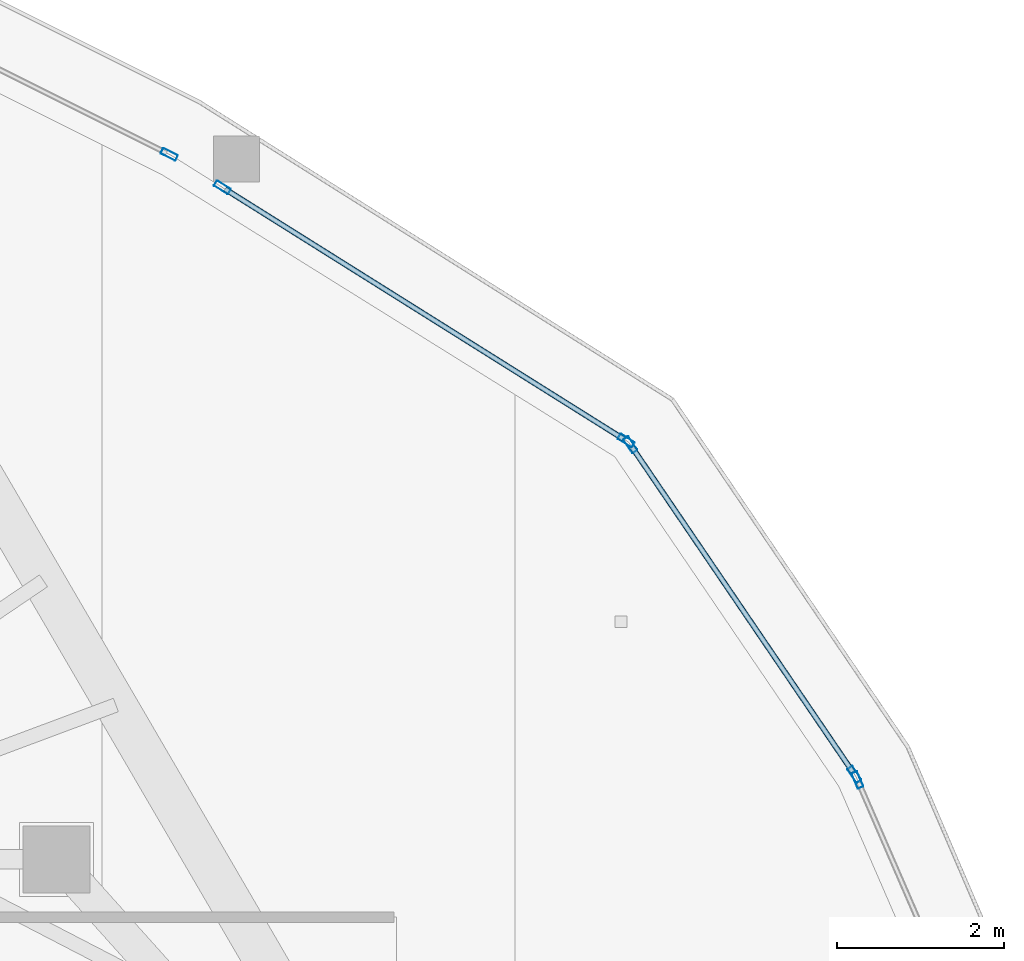
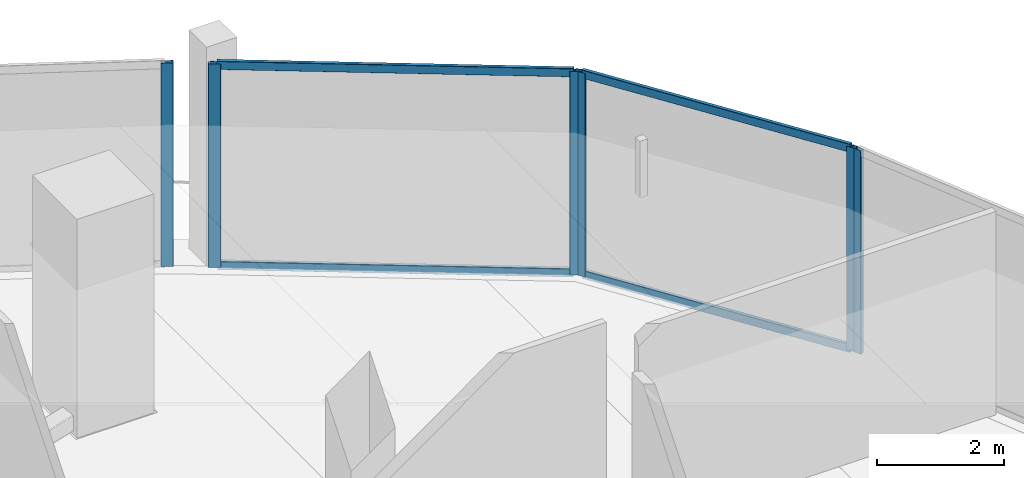
# One storey, part 15 of 25: 10 members, 4 elements without a shape of their own.
"""IFC4 building model written with IfcOpenShell, lengths in metres."""

from ifc_helpers import new_model, si_unit, direction, frame, origin, origin_2d, place, context, subcontext, project, spatial, hollow_rectangle, extrude, material, layer, layer_set, material_profile, profile_set, type_object, element, aggregate, save


model = new_model("IFC4")

# Units and contexts
model_context = context("Model", 3, precision=1e-05, world=origin(), true_north=direction((0.0, 1.0)))
body_context = subcontext(model_context, "Body", "Model", "MODEL_VIEW")
ifc_project = project(units=[si_unit("LENGTHUNIT", "METRE"), si_unit("AREAUNIT", "SQUARE_METRE"), si_unit("VOLUMEUNIT", "CUBIC_METRE"), si_unit("PLANEANGLEUNIT", "RADIAN"), si_unit("MASSUNIT", "GRAM", prefix="KILO")], contexts=[model_context])

# Site, building, storey
site_placement = place(None, origin())
site = spatial("IfcSite", under=ifc_project, at=site_placement, CompositionType="ELEMENT")
building_placement = place(site_placement, origin())
building = spatial("IfcBuilding", under=site, at=building_placement, Name="Qorvath Tower", CompositionType="ELEMENT")
storey_placement = place(building_placement, frame((0.0, 0.0, 314.39990234375)))
storey = spatial("IfcBuildingStorey", under=building, at=storey_placement, Name="L73", CompositionType="ELEMENT", Elevation=314.39990234375)

# Curtain wall, member
ifc_material_1 = material(Name="Anodised aluminium and triple low-E glass", Category="aluminium")
ifc_layer = layer(ifc_material_1, 0.179931640625)
ifc_layer_set = layer_set([ifc_layer], Name="CW-SYS-4")
curtain_wall_type = type_object("IfcCurtainWallType", Name="CW-SYS-4", PredefinedType="NOTDEFINED", material=ifc_layer_set)
curtain_wall_1_placement = place(storey_placement, origin())
curtain_wall_1 = element("IfcCurtainWall", 1, at=curtain_wall_1_placement, inside=storey, type_object=curtain_wall_type, Name="Curtain Wall CW-4 CW-T-L73-12.1", PredefinedType="NOTDEFINED")
ifc_material_2 = material(Name="Anodised aluminium 6063-T6", Category="aluminium")
ifc_material_profile_1 = material_profile(ifc_material_2, hollow_rectangle(XDim=0.074951171875, YDim=0.199951171875, WallThickness=0.00390625, InnerFilletRadius=0.00390625, OuterFilletRadius=0.008056640625, at=origin_2d()), Name="CWM 200x75")
ifc_profile_set_1 = profile_set([ifc_material_profile_1], Name="Anodised aluminium 6063-T6")
member_type_1 = type_object("IfcMemberType", Name="CWM-200", PredefinedType="MULLION", material=ifc_profile_set_1)
member_1_placement = place(storey_placement, frame((-7.627685546875, 12.39892578125, 0.0), z_axis=(0.0, 0.0, 1.0), x_axis=(-0.917479167341, -0.397783832623, 0.0)))
member_1 = element("IfcMember", 2, at=member_1_placement, type_object=member_type_1, Name="CW-4 mullion 2", PredefinedType="MULLION", context=body_context, shape_type="SweptSolid", body=[
    extrude(hollow_rectangle(XDim=0.074951171875, YDim=0.199951171875, WallThickness=0.00390625, InnerFilletRadius=0.00390625, OuterFilletRadius=0.008056640625, at=origin_2d()), origin(), (0.0, 0.0, 1.0), 3.91015625),
])
aggregate(curtain_wall_1, [member_1])

# Curtain wall, members
curtain_wall_2_placement = place(storey_placement, origin())
curtain_wall_2 = element("IfcCurtainWall", 3, at=curtain_wall_2_placement, inside=storey, type_object=curtain_wall_type, Name="Curtain Wall CW-4 CW-T-L73-13.1", PredefinedType="NOTDEFINED")
member_2_placement = place(storey_placement, frame((-7.66357421875, 12.46435546875, 0.0), z_axis=(0.0, 0.0, 1.0), x_axis=(-0.827070691934, -0.562097918999, 0.0)))
member_2 = element("IfcMember", 4, at=member_2_placement, type_object=member_type_1, Name="CW-4 mullion 1", PredefinedType="MULLION", context=body_context, shape_type="SweptSolid", body=[
    extrude(hollow_rectangle(XDim=0.074951171875, YDim=0.199951171875, WallThickness=0.00390625, InnerFilletRadius=0.00390625, OuterFilletRadius=0.008056640625, at=origin_2d()), origin(), (0.0, 0.0, 1.0), 3.91015625),
])
member_3_placement = place(storey_placement, frame((-10.340087890625, 16.40234375, 0.0), z_axis=(0.0, 0.0, 1.0), x_axis=(-0.827070691934, -0.562097918999, 0.0)))
member_3 = element("IfcMember", 5, at=member_3_placement, type_object=member_type_1, Name="CW-4 mullion 2", PredefinedType="MULLION", context=body_context, shape_type="SweptSolid", body=[
    extrude(hollow_rectangle(XDim=0.074951171875, YDim=0.199951171875, WallThickness=0.00390625, InnerFilletRadius=0.00390625, OuterFilletRadius=0.008056640625, at=origin_2d()), origin(), (0.0, 0.0, 1.0), 3.91015625),
])

curtain_wall_3_placement = place(storey_placement, origin())
curtain_wall_3 = element("IfcCurtainWall", 6, at=curtain_wall_3_placement, inside=storey, type_object=curtain_wall_type, Name="Curtain Wall CW-4 CW-T-L73-14.1", PredefinedType="NOTDEFINED")
member_4_placement = place(storey_placement, frame((-10.392822265625, 16.453125, 0.0), z_axis=(0.0, 0.0, 1.0), x_axis=(-0.531324468565, -0.847168406578, 0.0)))
member_4 = element("IfcMember", 7, at=member_4_placement, type_object=member_type_1, Name="CW-4 mullion 1", PredefinedType="MULLION", context=body_context, shape_type="SweptSolid", body=[
    extrude(hollow_rectangle(XDim=0.074951171875, YDim=0.199951171875, WallThickness=0.00390625, InnerFilletRadius=0.00390625, OuterFilletRadius=0.008056640625, at=origin_2d()), origin(), (0.0, 0.0, 1.0), 3.91015625),
])
member_5_placement = place(storey_placement, frame((-15.2158203125, 19.47802734375, 0.0), z_axis=(0.0, 0.0, 1.0), x_axis=(-0.531324468565, -0.847168406578, 0.0)))
member_5 = element("IfcMember", 8, at=member_5_placement, type_object=member_type_1, Name="CW-4 mullion 2", PredefinedType="MULLION", context=body_context, shape_type="SweptSolid", body=[
    extrude(hollow_rectangle(XDim=0.074951171875, YDim=0.199951171875, WallThickness=0.00390625, InnerFilletRadius=0.00390625, OuterFilletRadius=0.008056640625, at=origin_2d()), origin(), (0.0, 0.0, 1.0), 3.91015625),
])

# Curtain wall, member
curtain_wall_4_placement = place(storey_placement, origin())
curtain_wall_4 = element("IfcCurtainWall", 9, at=curtain_wall_4_placement, inside=storey, type_object=curtain_wall_type, Name="Curtain Wall CW-4 CW-T-L73-15.1", PredefinedType="NOTDEFINED")
member_6_placement = place(storey_placement, frame((-15.85107421875, 19.87255859375, 0.0), z_axis=(0.0, 0.0, 1.0), x_axis=(-0.447225307528, -0.89442133489, 0.0)))
member_6 = element("IfcMember", 10, at=member_6_placement, type_object=member_type_1, Name="CW-4 mullion 1", PredefinedType="MULLION", context=body_context, shape_type="SweptSolid", body=[
    extrude(hollow_rectangle(XDim=0.074951171875, YDim=0.199951171875, WallThickness=0.00390625, InnerFilletRadius=0.00390625, OuterFilletRadius=0.008056640625, at=origin_2d()), origin(), (0.0, 0.0, 1.0), 3.91015625),
])
aggregate(curtain_wall_4, [member_6])

# Member
ifc_material_3 = material(Name="Anodised aluminium 6063-T6", Category="aluminium")
ifc_material_profile_2 = material_profile(ifc_material_3, hollow_rectangle(XDim=0.06494140625, YDim=0.159912109375, WallThickness=0.00341796875, InnerFilletRadius=0.00341796875, OuterFilletRadius=0.007080078125, at=origin_2d()), Name="CWT 160x65")
ifc_profile_set_2 = profile_set([ifc_material_profile_2], Name="Anodised aluminium 6063-T6")
member_type_2 = type_object("IfcMemberType", Name="CWT-160", PredefinedType="USERDEFINED", material=ifc_profile_set_2)
member_7_placement = place(storey_placement, frame((-7.684814453125, 12.495361328125, 0.032470703125), z_axis=(-0.562072028752, 0.827088287002, 0.0), x_axis=(-0.827088287002, -0.562072028752, 0.0)))
member_7 = element("IfcMember", 11, at=member_7_placement, type_object=member_type_2, Name="CW-4 transom 1.1", ObjectType="TRANSOM", PredefinedType="USERDEFINED", context=body_context, shape_type="SweptSolid", body=[
    extrude(hollow_rectangle(XDim=0.06494140625, YDim=0.159912109375, WallThickness=0.00341796875, InnerFilletRadius=0.00341796875, OuterFilletRadius=0.007080078125, at=origin_2d()), origin(), (0.0, 0.0, 1.0), 4.686279296875),
])

member_8_placement = place(storey_placement, frame((-7.684814453125, 12.495361328125, 3.877685546875), z_axis=(-0.562072028752, 0.827088287002, 0.0), x_axis=(-0.827088287002, -0.562072028752, 0.0)))
member_8 = element("IfcMember", 12, at=member_8_placement, type_object=member_type_2, Name="CW-4 transom 1.2", ObjectType="TRANSOM", PredefinedType="USERDEFINED", context=body_context, shape_type="SweptSolid", body=[
    extrude(hollow_rectangle(XDim=0.06494140625, YDim=0.159912109375, WallThickness=0.00341796875, InnerFilletRadius=0.00341796875, OuterFilletRadius=0.007080078125, at=origin_2d()), origin(), (0.0, 0.0, 1.0), 4.686279296875),
])

aggregate(curtain_wall_2, [member_2, member_3, member_7, member_8])

member_9_placement = place(storey_placement, frame((-10.424560546875, 16.47314453125, 0.032470703125), z_axis=(-0.847164767909, 0.531330270183, 0.0), x_axis=(-0.531330270183, -0.847164767909, 0.0)))
member_9 = element("IfcMember", 13, at=member_9_placement, type_object=member_type_2, Name="CW-4 transom 1.1", ObjectType="TRANSOM", PredefinedType="USERDEFINED", context=body_context, shape_type="SweptSolid", body=[
    extrude(hollow_rectangle(XDim=0.06494140625, YDim=0.159912109375, WallThickness=0.00341796875, InnerFilletRadius=0.00341796875, OuterFilletRadius=0.007080078125, at=origin_2d()), origin(), (0.0, 0.0, 1.0), 5.6181640625),
])

member_10_placement = place(storey_placement, frame((-10.424560546875, 16.47314453125, 3.877685546875), z_axis=(-0.847164767909, 0.531330270183, 0.0), x_axis=(-0.531330270183, -0.847164767909, 0.0)))
member_10 = element("IfcMember", 14, at=member_10_placement, type_object=member_type_2, Name="CW-4 transom 1.2", ObjectType="TRANSOM", PredefinedType="USERDEFINED", context=body_context, shape_type="SweptSolid", body=[
    extrude(hollow_rectangle(XDim=0.06494140625, YDim=0.159912109375, WallThickness=0.00341796875, InnerFilletRadius=0.00341796875, OuterFilletRadius=0.007080078125, at=origin_2d()), origin(), (0.0, 0.0, 1.0), 5.6181640625),
])

aggregate(curtain_wall_3, [member_4, member_5, member_9, member_10])

save(model, "model.ifc")
